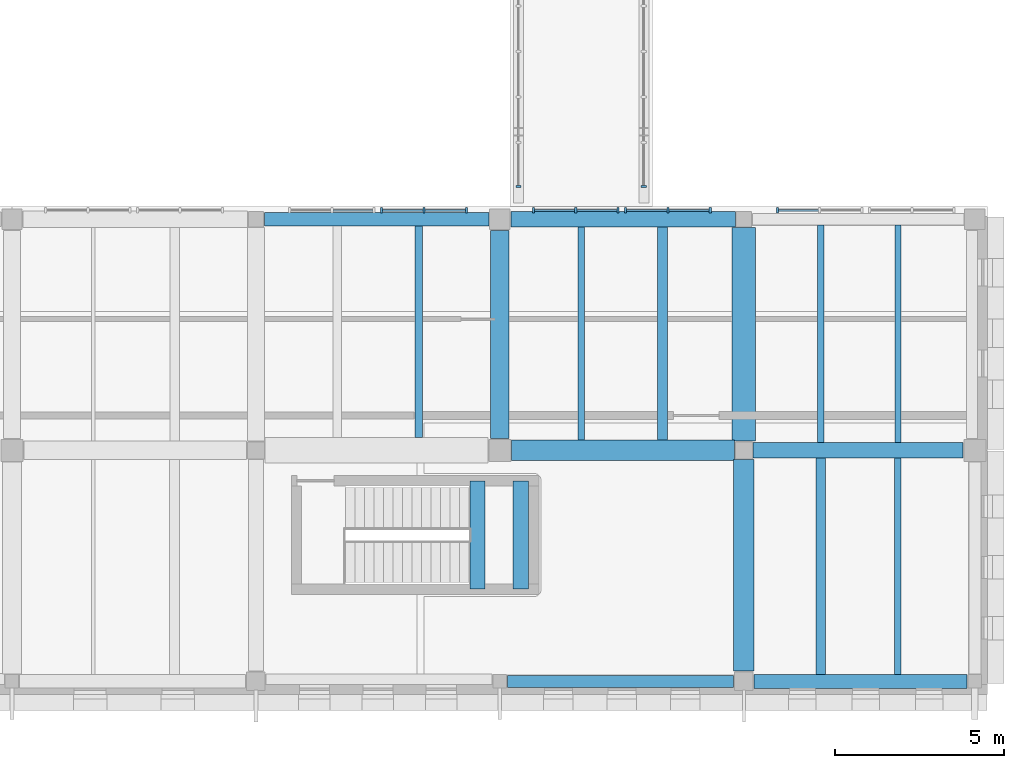
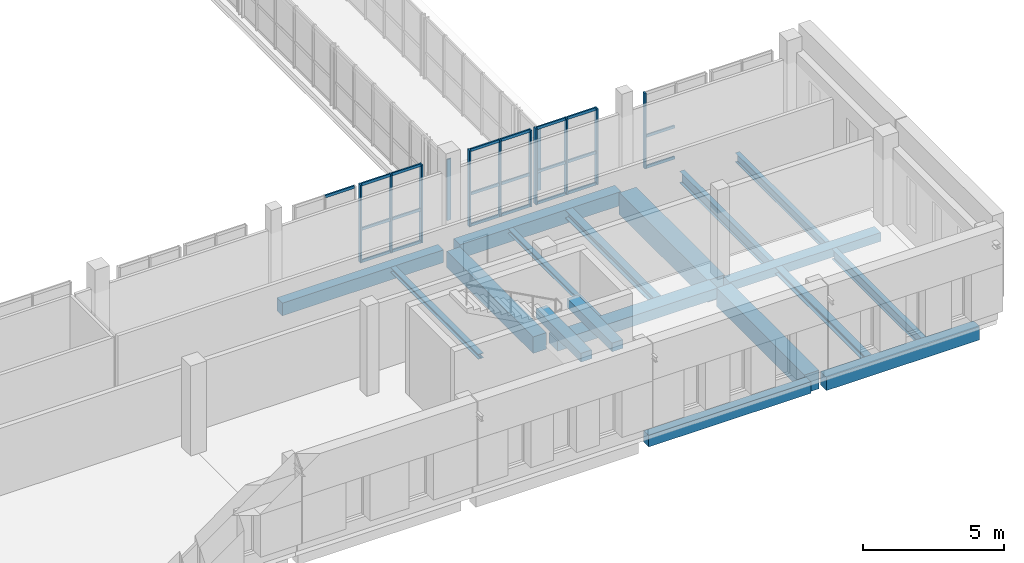
# One storey, part 30 of 76: 33 members, 18 beams, 7 elements without a shape of their own.
"""IFC4 building model written with IfcOpenShell, lengths in metres."""

from ifc_helpers import new_model, si_unit, direction, frame, origin, origin_2d, place, context, subcontext, project, spatial, rectangle, i_section, extrude, material, layer, layer_set, material_profile, profile_set, type_object, element, aggregate, save


model = new_model("IFC4")

# Units and contexts
model_context = context("Model", 3, precision=1e-05, world=origin(), true_north=direction((0.0, 1.0)))
body_context = subcontext(model_context, "Body", "Model", "MODEL_VIEW")
ifc_project = project(units=[si_unit("LENGTHUNIT", "METRE"), si_unit("AREAUNIT", "SQUARE_METRE"), si_unit("VOLUMEUNIT", "CUBIC_METRE"), si_unit("PLANEANGLEUNIT", "RADIAN"), si_unit("MASSUNIT", "GRAM", prefix="KILO")], contexts=[model_context])

# Site, building, storey
site_placement = place(None, origin())
site = spatial("IfcSite", under=ifc_project, at=site_placement, CompositionType="ELEMENT")
building_placement = place(site_placement, origin())
building = spatial("IfcBuilding", under=site, at=building_placement, Name="Vardoun Plaza Health Centre", CompositionType="ELEMENT")
storey_placement = place(building_placement, frame((0.0, 0.0, 4.5)))
storey = spatial("IfcBuildingStorey", under=building, at=storey_placement, Name="L01", CompositionType="ELEMENT", Elevation=4.5)

# Beams
ifc_material_1 = material(Name="Concrete C35/45", Category="concrete")
ifc_material_profile_1 = material_profile(ifc_material_1, rectangle(XDim=0.35009765625, YDim=0.5, at=origin_2d()), Name="RC-BM 350x500")
ifc_profile_set_1 = profile_set([ifc_material_profile_1], Name="Concrete C35/45")
beam_type_1 = type_object("IfcBeamType", Name="B-08", PredefinedType="SPANDREL", material=ifc_profile_set_1)
beam_1_placement = place(storey_placement, frame((151.125, 4.8798828125, -0.544921875), z_axis=(1.0, 0.0, 0.0), x_axis=(0.0, 1.0, 0.0)))
element("IfcBeam", 1, at=beam_1_placement, inside=storey, type_object=beam_type_1, Name="V5 L01 Beam B-V5-L01-X19", PredefinedType="SPANDREL", context=body_context, shape_type="SweptSolid", body=[
    extrude(rectangle(XDim=0.35009765625, YDim=0.5, at=origin_2d()), origin(), (0.0, 0.0, 1.0), 6.675048828125),
])
ifc_material_2 = material(Name="Concrete C35/45", Category="concrete")
ifc_material_profile_2 = material_profile(ifc_material_2, rectangle(XDim=0.39990234375, YDim=0.550048828125, at=origin_2d()), Name="RC-BM 400x550")
ifc_profile_set_2 = profile_set([ifc_material_profile_2], Name="Concrete C35/45")
beam_type_2 = type_object("IfcBeamType", Name="B-09", PredefinedType="SPANDREL", material=ifc_profile_set_2)
beam_2_placement = place(storey_placement, frame((143.949951171875, 18.52001953125, -0.570068359375), z_axis=(1.0, 0.0, 0.0), x_axis=(0.0, 1.0, 0.0)))
element("IfcBeam", 2, at=beam_2_placement, inside=storey, type_object=beam_type_2, Name="V5 L01 Beam B-V5-L01-X18", PredefinedType="SPANDREL", context=body_context, shape_type="SweptSolid", body=[
    extrude(rectangle(XDim=0.39990234375, YDim=0.550048828125, at=origin_2d()), origin(), (0.0, 0.0, 1.0), 6.625),
])
ifc_material_3 = material(Name="Concrete C35/45", Category="concrete")
ifc_material_profile_3 = material_profile(ifc_material_3, rectangle(XDim=0.419921875, YDim=0.580078125, at=origin_2d()), Name="RC-BM 420x580")
ifc_profile_set_3 = profile_set([ifc_material_profile_3], Name="Concrete C35/45")
beam_type_3 = type_object("IfcBeamType", Name="B-10", PredefinedType="SPANDREL", material=ifc_profile_set_3)
beam_3_placement = place(storey_placement, frame((158.39990234375, 4.8798828125, -0.5849609375), z_axis=(1.0, 0.0, 0.0), x_axis=(0.0, 1.0, 0.0)))
element("IfcBeam", 3, at=beam_3_placement, inside=storey, type_object=beam_type_3, Name="V5 L01 Beam B-V5-L01-X22", PredefinedType="SPANDREL", context=body_context, shape_type="SweptSolid", body=[
    extrude(rectangle(XDim=0.419921875, YDim=0.580078125, at=origin_2d()), origin(), (0.0, 0.0, 1.0), 6.295166015625),
])
ifc_material_4 = material(Name="Concrete C35/45", Category="concrete")
ifc_material_profile_4 = material_profile(ifc_material_4, rectangle(XDim=0.449951171875, YDim=0.3798828125, at=origin_2d()), Name="RC-BM 450x380")
ifc_profile_set_4 = profile_set([ifc_material_profile_4], Name="Concrete C35/45")
beam_type_4 = type_object("IfcBeamType", Name="B-01", PredefinedType="BEAM", material=ifc_profile_set_4)
beam_4_placement = place(storey_placement, frame((158.375, 11.699951171875, -0.485107421875), z_axis=(1.0, 0.0, 0.0), x_axis=(0.0, 1.0, 0.0)))
element("IfcBeam", 4, at=beam_4_placement, inside=storey, type_object=beam_type_4, Name="V5 L01 Beam B-V5-L01-X23", PredefinedType="BEAM", context=body_context, shape_type="SweptSolid", body=[
    extrude(rectangle(XDim=0.449951171875, YDim=0.3798828125, at=origin_2d()), origin(), (0.0, 0.0, 1.0), 6.195068359375),
])
for number, where, z_axis, x_axis, name in (
    (5, (150.239990234375, 7.60009765625, 1.7099609375), (0.0, 1.0, 0.0), (-1.0, 0.0, 0.0), "Stair ST-C9-L01 Landing Beam 1"),
    (6, (151.52001953125, 7.60009765625, 1.7099609375), (0.0, 1.0, 0.0), (-1.0, 0.0, 0.0), "Stair ST-C9-L01 Landing Beam 2"),
):
    element("IfcBeam", number, at=place(storey_placement, frame(where, z_axis=z_axis, x_axis=x_axis)), inside=storey, type_object=beam_type_4, Name=name, PredefinedType="BEAM", context=body_context, shape_type="SweptSolid", body=[
        extrude(rectangle(XDim=0.449951171875, YDim=0.3798828125, at=origin_2d()), origin(), (0.0, 0.0, 1.0), 3.199951171875),
    ])
ifc_material_5 = material(Name="Concrete C35/45", Category="concrete")
ifc_material_profile_5 = material_profile(ifc_material_5, rectangle(XDim=0.449951171875, YDim=0.60009765625, at=origin_2d()), Name="RC-BM 450x600")
ifc_profile_set_5 = profile_set([ifc_material_profile_5], Name="Concrete C35/45")
beam_type_5 = type_object("IfcBeamType", Name="B-11", PredefinedType="SPANDREL", material=ifc_profile_set_5)
beam_5_placement = place(storey_placement, frame((151.22509765625, 18.52001953125, -0.594970703125), z_axis=(1.0, 0.0, 0.0), x_axis=(0.0, 1.0, 0.0)))
element("IfcBeam", 7, at=beam_5_placement, inside=storey, type_object=beam_type_5, Name="V5 L01 Beam B-V5-L01-X21", PredefinedType="SPANDREL", context=body_context, shape_type="SweptSolid", body=[
    extrude(rectangle(XDim=0.449951171875, YDim=0.60009765625, at=origin_2d()), origin(), (0.0, 0.0, 1.0), 6.625),
])
ifc_material_6 = material(Name="Concrete C40/50", Category="concrete")
ifc_material_profile_6 = material_profile(ifc_material_6, rectangle(XDim=0.550048828125, YDim=0.719970703125, at=origin_2d()), Name="RC-BM 550x720")
ifc_profile_set_6 = profile_set([ifc_material_profile_6], Name="Concrete C40/50")
beam_type_6 = type_object("IfcBeamType", Name="B-14", PredefinedType="BEAM", material=ifc_profile_set_6)
beam_6_placement = place(storey_placement, frame((150.89990234375, 12.050048828125, -0.655029296875), z_axis=(0.0, 1.0, 0.0), x_axis=(-1.0, 0.0, 0.0)))
element("IfcBeam", 8, at=beam_6_placement, inside=storey, type_object=beam_type_6, Name="V5 L01 Beam B-V5-L01-Y36", PredefinedType="BEAM", context=body_context, shape_type="SweptSolid", body=[
    extrude(rectangle(XDim=0.550048828125, YDim=0.719970703125, at=origin_2d()), origin(), (0.0, 0.0, 1.0), 6.14501953125),
])
ifc_material_7 = material(Name="Concrete C35/45", Category="concrete")
ifc_material_profile_7 = material_profile(ifc_material_7, rectangle(XDim=0.60009765625, YDim=0.449951171875, at=origin_2d()), Name="RC-BM 600x450")
ifc_profile_set_7 = profile_set([ifc_material_profile_7], Name="Concrete C35/45")
beam_type_7 = type_object("IfcBeamType", Name="B-04", PredefinedType="BEAM", material=ifc_profile_set_7)
beam_7_placement = place(storey_placement, frame((151.25, 11.699951171875, -0.52001953125), z_axis=(1.0, 0.0, 0.0), x_axis=(0.0, 1.0, 0.0)))
element("IfcBeam", 9, at=beam_7_placement, inside=storey, type_object=beam_type_7, Name="V5 L01 Beam B-V5-L01-X20", PredefinedType="BEAM", context=body_context, shape_type="SweptSolid", body=[
    extrude(rectangle(XDim=0.60009765625, YDim=0.449951171875, at=origin_2d()), origin(), (0.0, 0.0, 1.0), 6.574951171875),
])
ifc_material_8 = material(Name="Concrete C40/50", Category="concrete")
ifc_material_profile_8 = material_profile(ifc_material_8, rectangle(XDim=0.60009765625, YDim=0.800048828125, at=origin_2d()), Name="RC-BM 600x800")
ifc_profile_set_8 = profile_set([ifc_material_profile_8], Name="Concrete C40/50")
beam_type_8 = type_object("IfcBeamType", Name="B-15", PredefinedType="JOIST", material=ifc_profile_set_8)
beam_8_placement = place(storey_placement, frame((158.10009765625, 5.179931640625, -0.695068359375), z_axis=(0.0, 1.0, 0.0), x_axis=(-1.0, 0.0, 0.0)))
element("IfcBeam", 10, at=beam_8_placement, inside=storey, type_object=beam_type_8, Name="V5 L01 Beam B-V5-L01-Y37", PredefinedType="JOIST", context=body_context, shape_type="SweptSolid", body=[
    extrude(rectangle(XDim=0.60009765625, YDim=0.800048828125, at=origin_2d()), origin(), (0.0, 0.0, 1.0), 6.2451171875),
])
ifc_material_9 = material(Name="Concrete C40/50", Category="concrete")
ifc_material_profile_9 = material_profile(ifc_material_9, rectangle(XDim=0.699951171875, YDim=0.949951171875, at=origin_2d()), Name="RC-BM 700x950")
ifc_profile_set_9 = profile_set([ifc_material_profile_9], Name="Concrete C40/50")
beam_type_9 = type_object("IfcBeamType", Name="B-16", PredefinedType="LINTEL", material=ifc_profile_set_9)
beam_9_placement = place(storey_placement, frame((158.10009765625, 11.97509765625, -0.77001953125), z_axis=(0.0, 1.0, 0.0), x_axis=(-1.0, 0.0, 0.0)))
element("IfcBeam", 11, at=beam_9_placement, inside=storey, type_object=beam_type_9, Name="V5 L01 Beam B-V5-L01-Y38", PredefinedType="LINTEL", context=body_context, shape_type="SweptSolid", body=[
    extrude(rectangle(XDim=0.699951171875, YDim=0.949951171875, at=origin_2d()), origin(), (0.0, 0.0, 1.0), 6.294921875),
])
ifc_material_10 = material(Name="Steel S355J2", Category="steel")
ifc_material_profile_10 = material_profile(ifc_material_10, i_section(OverallWidth=0.199951171875, OverallDepth=0.18994140625, WebThickness=0.006591796875, FlangeThickness=0.010009765625, FilletRadius=0.01806640625, at=origin_2d()), Name="HEA 200")
ifc_profile_set_10 = profile_set([ifc_material_profile_10], Name="Steel S355J2")
beam_type_10 = type_object("IfcBeamType", Name="SB-09", PredefinedType="BEAM", material=ifc_profile_set_10)
beam_10_placement = place(storey_placement, frame((153.2998046875, 12.0, -0.389892578125), z_axis=(0.0, 1.0, 0.0), x_axis=(-1.0, 0.0, 0.0)))
element("IfcBeam", 12, at=beam_10_placement, inside=storey, type_object=beam_type_10, Name="V5 L01 Secondary Floor Beam SJ-V5-L01-19", PredefinedType="BEAM", context=body_context, shape_type="SweptSolid", body=[
    extrude(i_section(OverallWidth=0.199951171875, OverallDepth=0.18994140625, WebThickness=0.006591796875, FlangeThickness=0.010009765625, FilletRadius=0.01806640625, at=origin_2d()), origin(), (0.0, 0.0, 1.0), 6.294921875),
])
ifc_material_11 = material(Name="Steel S355J2", Category="steel")
ifc_material_profile_11 = material_profile(ifc_material_11, i_section(OverallWidth=0.219970703125, OverallDepth=0.2099609375, WebThickness=0.007080078125, FlangeThickness=0.010986328125, FilletRadius=0.01806640625, at=origin_2d()), Name="HEA 220")
ifc_profile_set_11 = profile_set([ifc_material_profile_11], Name="Steel S355J2")
beam_type_11 = type_object("IfcBeamType", Name="SB-08", PredefinedType="BEAM", material=ifc_profile_set_11)
beam_11_placement = place(storey_placement, frame((148.500244140625, 12.074951171875, -0.39990234375), z_axis=(0.0, 1.0, 0.0), x_axis=(-1.0, 0.0, 0.0)))
element("IfcBeam", 13, at=beam_11_placement, inside=storey, type_object=beam_type_11, Name="V5 L01 Secondary Floor Beam SJ-V5-L01-18", PredefinedType="BEAM", context=body_context, shape_type="SweptSolid", body=[
    extrude(i_section(OverallWidth=0.219970703125, OverallDepth=0.2099609375, WebThickness=0.007080078125, FlangeThickness=0.010986328125, FilletRadius=0.01806640625, at=origin_2d()), origin(), (0.0, 0.0, 1.0), 6.2451171875),
])
ifc_material_12 = material(Name="Steel S355J2", Category="steel")
ifc_material_profile_12 = material_profile(ifc_material_12, i_section(OverallWidth=0.280029296875, OverallDepth=0.280029296875, WebThickness=0.010498046875, FlangeThickness=0.01806640625, FilletRadius=0.02392578125, at=origin_2d()), Name="HEB 280")
ifc_profile_set_12 = profile_set([ifc_material_profile_12], Name="Steel S355J2")
beam_type_12 = type_object("IfcBeamType", Name="SB-02", PredefinedType="BEAM", material=ifc_profile_set_12)
beam_12_placement = place(storey_placement, frame((160.373046875, 5.090087890625, -0.43505859375), z_axis=(0.0, 1.0, 0.0), x_axis=(-1.0, 0.0, 0.0)))
element("IfcBeam", 14, at=beam_12_placement, inside=storey, type_object=beam_type_12, Name="V5 L01 Secondary Floor Beam SJ-V5-L01-21", PredefinedType="BEAM", context=body_context, shape_type="SweptSolid", body=[
    extrude(i_section(OverallWidth=0.280029296875, OverallDepth=0.280029296875, WebThickness=0.010498046875, FlangeThickness=0.01806640625, FilletRadius=0.02392578125, at=origin_2d()), origin(), (0.0, 0.0, 1.0), 6.385009765625),
])
ifc_material_13 = material(Name="Steel S355J2", Category="steel")
ifc_material_profile_13 = material_profile(ifc_material_13, i_section(OverallWidth=0.300048828125, OverallDepth=0.360107421875, WebThickness=0.012451171875, FlangeThickness=0.0224609375, FilletRadius=0.027099609375, at=origin_2d()), Name="HEB 360")
ifc_profile_set_13 = profile_set([ifc_material_profile_13], Name="Steel S355J2")
beam_type_13 = type_object("IfcBeamType", Name="RB-04", PredefinedType="BEAM", material=ifc_profile_set_13)
beam_13_placement = place(storey_placement, frame((155.7001953125, 12.0, -0.47509765625), z_axis=(0.0, 1.0, 0.0), x_axis=(-1.0, 0.0, 0.0)))
element("IfcBeam", 15, at=beam_13_placement, inside=storey, type_object=beam_type_13, Name="V5 L01 Secondary Floor Beam SJ-V5-L01-20", PredefinedType="BEAM", context=body_context, shape_type="SweptSolid", body=[
    extrude(i_section(OverallWidth=0.300048828125, OverallDepth=0.360107421875, WebThickness=0.012451171875, FlangeThickness=0.0224609375, FilletRadius=0.027099609375, at=origin_2d()), origin(), (0.0, 0.0, 1.0), 6.294921875),
])
ifc_material_14 = material(Name="Steel S355J2", Category="steel")
ifc_material_profile_14 = material_profile(ifc_material_14, i_section(OverallWidth=0.179931640625, OverallDepth=0.39990234375, WebThickness=0.008544921875, FlangeThickness=0.013427734375, FilletRadius=0.02099609375, at=origin_2d()), Name="IPE 400")
ifc_profile_set_14 = profile_set([ifc_material_profile_14], Name="Steel S355J2")
beam_type_14 = type_object("IfcBeamType", Name="SB-12", PredefinedType="BEAM", material=ifc_profile_set_14)
beam_14_placement = place(storey_placement, frame((162.64697265625, 11.925048828125, -0.4951171875), z_axis=(0.0, 1.0, 0.0), x_axis=(-1.0, 0.0, 0.0)))
element("IfcBeam", 16, at=beam_14_placement, inside=storey, type_object=beam_type_14, Name="V5 L01 Secondary Floor Beam SJ-V5-L01-24", PredefinedType="BEAM", context=body_context, shape_type="SweptSolid", body=[
    extrude(i_section(OverallWidth=0.179931640625, OverallDepth=0.39990234375, WebThickness=0.008544921875, FlangeThickness=0.013427734375, FilletRadius=0.02099609375, at=origin_2d()), origin(), (0.0, 0.0, 1.0), 6.419921875),
])
ifc_material_15 = material(Name="Steel S355J2", Category="steel")
ifc_material_profile_15 = material_profile(ifc_material_15, i_section(OverallWidth=0.18994140625, OverallDepth=0.449951171875, WebThickness=0.009521484375, FlangeThickness=0.0146484375, FilletRadius=0.02099609375, at=origin_2d()), Name="IPE 450")
ifc_profile_set_15 = profile_set([ifc_material_profile_15], Name="Steel S355J2")
beam_type_15 = type_object("IfcBeamType", Name="SB-11", PredefinedType="BEAM", material=ifc_profile_set_15)
beam_15_placement = place(storey_placement, frame((162.64697265625, 5.090087890625, -0.52099609375), z_axis=(0.0, 1.0, 0.0), x_axis=(-1.0, 0.0, 0.0)))
element("IfcBeam", 17, at=beam_15_placement, inside=storey, type_object=beam_type_15, Name="V5 L01 Secondary Floor Beam SJ-V5-L01-23", PredefinedType="BEAM", context=body_context, shape_type="SweptSolid", body=[
    extrude(i_section(OverallWidth=0.18994140625, OverallDepth=0.449951171875, WebThickness=0.009521484375, FlangeThickness=0.0146484375, FilletRadius=0.02099609375, at=origin_2d()), origin(), (0.0, 0.0, 1.0), 6.385009765625),
])
ifc_material_16 = material(Name="Steel S355J2", Category="steel")
ifc_material_profile_16 = material_profile(ifc_material_16, i_section(OverallWidth=0.199951171875, OverallDepth=0.5, WebThickness=0.01025390625, FlangeThickness=0.01611328125, FilletRadius=0.02099609375, at=origin_2d()), Name="IPE 500")
ifc_profile_set_16 = profile_set([ifc_material_profile_16], Name="Steel S355J2")
beam_type_16 = type_object("IfcBeamType", Name="SB-10", PredefinedType="BEAM", material=ifc_profile_set_16)
beam_16_placement = place(storey_placement, frame((160.373046875, 11.925048828125, -0.544921875), z_axis=(0.0, 1.0, 0.0), x_axis=(-1.0, 0.0, 0.0)))
element("IfcBeam", 18, at=beam_16_placement, inside=storey, type_object=beam_type_16, Name="V5 L01 Secondary Floor Beam SJ-V5-L01-22", PredefinedType="BEAM", context=body_context, shape_type="SweptSolid", body=[
    extrude(i_section(OverallWidth=0.199951171875, OverallDepth=0.5, WebThickness=0.01025390625, FlangeThickness=0.01611328125, FilletRadius=0.02099609375, at=origin_2d()), origin(), (0.0, 0.0, 1.0), 6.419921875),
])

# Curtain wall, members
ifc_material_17 = material(Name="Aluminium Alloy EN AW-6063-T6 and Low-E Glass", Category="aluminium")
ifc_layer = layer(ifc_material_17, 0.14990234375)
ifc_layer_set = layer_set([ifc_layer], Name="Aluminium Alloy EN AW-6063-T6 and Low-E Glass")
curtain_wall_type = type_object("IfcCurtainWallType", Name="CW-03", PredefinedType="NOTDEFINED", material=ifc_layer_set)
curtain_wall_1_placement = place(storey_placement, origin())
curtain_wall_1 = element("IfcCurtainWall", 19, at=curtain_wall_1_placement, inside=storey, type_object=curtain_wall_type, Name="Curtain Wall CW-V5-160", PredefinedType="NOTDEFINED")
ifc_material_18 = material(Name="Aluminium Alloy EN AW-6063-T6", Category="aluminium")
ifc_material_profile_17 = material_profile(ifc_material_18, rectangle(XDim=0.159912109375, YDim=0.06005859375, at=origin_2d()), Name="CWM 60x160")
ifc_profile_set_17 = profile_set([ifc_material_profile_17], Name="Aluminium Alloy EN AW-6063-T6")
member_type_1 = type_object("IfcMemberType", Name="CW-M1", PredefinedType="MULLION", material=ifc_profile_set_17)
member_1_placement = place(storey_placement, frame((147.409912109375, 18.780029296875, 0.0), z_axis=(0.0, 0.0, 1.0), x_axis=(0.0, 1.0, 0.0)))
member_1 = element("IfcMember", 20, at=member_1_placement, type_object=member_type_1, Name="CW-V5-160 mullion 1", PredefinedType="MULLION", context=body_context, shape_type="SweptSolid", body=[
    extrude(rectangle(XDim=0.159912109375, YDim=0.06005859375, at=origin_2d()), origin(), (0.0, 0.0, 1.0), 3.389892578125),
])
member_2_placement = place(storey_placement, frame((148.659912109375, 18.780029296875, 0.0), z_axis=(0.0, 0.0, 1.0), x_axis=(0.0, 1.0, 0.0)))
member_2 = element("IfcMember", 21, at=member_2_placement, type_object=member_type_1, Name="CW-V5-160 mullion 2", PredefinedType="MULLION", context=body_context, shape_type="SweptSolid", body=[
    extrude(rectangle(XDim=0.159912109375, YDim=0.06005859375, at=origin_2d()), origin(), (0.0, 0.0, 1.0), 3.389892578125),
])
member_3_placement = place(storey_placement, frame((149.909912109375, 18.780029296875, 0.0), z_axis=(0.0, 0.0, 1.0), x_axis=(0.0, 1.0, 0.0)))
member_3 = element("IfcMember", 22, at=member_3_placement, type_object=member_type_1, Name="CW-V5-160 mullion 3", PredefinedType="MULLION", context=body_context, shape_type="SweptSolid", body=[
    extrude(rectangle(XDim=0.159912109375, YDim=0.06005859375, at=origin_2d()), origin(), (0.0, 0.0, 1.0), 3.389892578125),
])

curtain_wall_2_placement = place(storey_placement, origin())
curtain_wall_2 = element("IfcCurtainWall", 23, at=curtain_wall_2_placement, inside=storey, type_object=curtain_wall_type, Name="Curtain Wall CW-V5-161", PredefinedType="NOTDEFINED")
member_4_placement = place(storey_placement, frame((151.889892578125, 18.780029296875, 0.0), z_axis=(0.0, 0.0, 1.0), x_axis=(0.0, 1.0, 0.0)))
member_4 = element("IfcMember", 24, at=member_4_placement, type_object=member_type_1, Name="CW-V5-161 mullion 1", PredefinedType="MULLION", context=body_context, shape_type="SweptSolid", body=[
    extrude(rectangle(XDim=0.159912109375, YDim=0.06005859375, at=origin_2d()), origin(), (0.0, 0.0, 1.0), 3.31005859375),
])
member_5_placement = place(storey_placement, frame((153.139892578125, 18.780029296875, 0.0), z_axis=(0.0, 0.0, 1.0), x_axis=(0.0, 1.0, 0.0)))
member_5 = element("IfcMember", 25, at=member_5_placement, type_object=member_type_1, Name="CW-V5-161 mullion 2", PredefinedType="MULLION", context=body_context, shape_type="SweptSolid", body=[
    extrude(rectangle(XDim=0.159912109375, YDim=0.06005859375, at=origin_2d()), origin(), (0.0, 0.0, 1.0), 3.31005859375),
])
member_6_placement = place(storey_placement, frame((154.389892578125, 18.780029296875, 0.0), z_axis=(0.0, 0.0, 1.0), x_axis=(0.0, 1.0, 0.0)))
member_6 = element("IfcMember", 26, at=member_6_placement, type_object=member_type_1, Name="CW-V5-161 mullion 3", PredefinedType="MULLION", context=body_context, shape_type="SweptSolid", body=[
    extrude(rectangle(XDim=0.159912109375, YDim=0.06005859375, at=origin_2d()), origin(), (0.0, 0.0, 1.0), 3.31005859375),
])

curtain_wall_3_placement = place(storey_placement, origin())
curtain_wall_3 = element("IfcCurtainWall", 27, at=curtain_wall_3_placement, inside=storey, type_object=curtain_wall_type, Name="Curtain Wall CW-V5-162", PredefinedType="NOTDEFINED")
member_7_placement = place(storey_placement, frame((154.610107421875, 18.780029296875, 0.0), z_axis=(0.0, 0.0, 1.0), x_axis=(0.0, 1.0, 0.0)))
member_7 = element("IfcMember", 28, at=member_7_placement, type_object=member_type_1, Name="CW-V5-162 mullion 1", PredefinedType="MULLION", context=body_context, shape_type="SweptSolid", body=[
    extrude(rectangle(XDim=0.159912109375, YDim=0.06005859375, at=origin_2d()), origin(), (0.0, 0.0, 1.0), 3.31005859375),
])
member_8_placement = place(storey_placement, frame((155.860107421875, 18.780029296875, 0.0), z_axis=(0.0, 0.0, 1.0), x_axis=(0.0, 1.0, 0.0)))
member_8 = element("IfcMember", 29, at=member_8_placement, type_object=member_type_1, Name="CW-V5-162 mullion 2", PredefinedType="MULLION", context=body_context, shape_type="SweptSolid", body=[
    extrude(rectangle(XDim=0.159912109375, YDim=0.06005859375, at=origin_2d()), origin(), (0.0, 0.0, 1.0), 3.31005859375),
])
member_9_placement = place(storey_placement, frame((157.110107421875, 18.780029296875, 0.0), z_axis=(0.0, 0.0, 1.0), x_axis=(0.0, 1.0, 0.0)))
member_9 = element("IfcMember", 30, at=member_9_placement, type_object=member_type_1, Name="CW-V5-162 mullion 3", PredefinedType="MULLION", context=body_context, shape_type="SweptSolid", body=[
    extrude(rectangle(XDim=0.159912109375, YDim=0.06005859375, at=origin_2d()), origin(), (0.0, 0.0, 1.0), 3.31005859375),
])

# Curtain wall, member
curtain_wall_4_placement = place(storey_placement, origin())
curtain_wall_4 = element("IfcCurtainWall", 31, at=curtain_wall_4_placement, inside=storey, type_object=curtain_wall_type, Name="Curtain Wall CW-V5-163", PredefinedType="NOTDEFINED")
member_10_placement = place(storey_placement, frame((159.090087890625, 18.780029296875, 0.0), z_axis=(0.0, 0.0, 1.0), x_axis=(0.0, 1.0, 0.0)))
member_10 = element("IfcMember", 32, at=member_10_placement, type_object=member_type_1, Name="CW-V5-163 mullion 1", PredefinedType="MULLION", context=body_context, shape_type="SweptSolid", body=[
    extrude(rectangle(XDim=0.159912109375, YDim=0.06005859375, at=origin_2d()), origin(), (0.0, 0.0, 1.0), 3.27001953125),
])

curtain_wall_5_placement = place(storey_placement, origin())
curtain_wall_5 = element("IfcCurtainWall", 33, at=curtain_wall_5_placement, inside=storey, type_object=curtain_wall_type, Name="Curtain Wall CW-BR-5WS", PredefinedType="NOTDEFINED")
member_11_placement = place(storey_placement, frame((151.449951171875, 19.47998046875, 0.0), z_axis=(0.0, 0.0, 1.0), x_axis=(-1.0, 0.0, 0.0)))
member_11 = element("IfcMember", 34, at=member_11_placement, type_object=member_type_1, Name="CW-BR-5WS mullion 1", PredefinedType="MULLION", context=body_context, shape_type="SweptSolid", body=[
    extrude(rectangle(XDim=0.159912109375, YDim=0.06005859375, at=origin_2d()), origin(), (0.0, 0.0, 1.0), 2.64990234375),
])
aggregate(curtain_wall_5, [member_11])

curtain_wall_6_placement = place(storey_placement, origin())
curtain_wall_6 = element("IfcCurtainWall", 35, at=curtain_wall_6_placement, inside=storey, type_object=curtain_wall_type, Name="Curtain Wall CW-BR-5ES", PredefinedType="NOTDEFINED")
member_12_placement = place(storey_placement, frame((155.14990234375, 19.47998046875, 0.0), z_axis=(0.0, 0.0, 1.0), x_axis=(1.0, 0.0, 0.0)))
member_12 = element("IfcMember", 36, at=member_12_placement, type_object=member_type_1, Name="CW-BR-5ES mullion 7", PredefinedType="MULLION", context=body_context, shape_type="SweptSolid", body=[
    extrude(rectangle(XDim=0.159912109375, YDim=0.06005859375, at=origin_2d()), origin(), (0.0, 0.0, 1.0), 2.64990234375),
])
aggregate(curtain_wall_6, [member_12])

curtain_wall_7_placement = place(storey_placement, origin())
curtain_wall_7 = element("IfcCurtainWall", 37, at=curtain_wall_7_placement, inside=storey, type_object=curtain_wall_type, Name="Curtain Wall CW-V5-159", PredefinedType="NOTDEFINED")
ifc_material_19 = material(Name="Aluminium Alloy EN AW-6063-T6", Category="aluminium")
ifc_material_profile_18 = material_profile(ifc_material_19, rectangle(XDim=0.06005859375, YDim=0.1201171875, at=origin_2d()), Name="CWT 60x120")
ifc_profile_set_18 = profile_set([ifc_material_profile_18], Name="Aluminium Alloy EN AW-6063-T6")
member_type_2 = type_object("IfcMemberType", Name="CW-T1", PredefinedType="USERDEFINED", material=ifc_profile_set_18)
member_13_placement = place(storey_placement, frame((145.969970703125, 18.780029296875, 3.360107421875), z_axis=(1.0, 0.0, 0.0), x_axis=(0.0, 1.0, 0.0)))
member_13 = element("IfcMember", 38, at=member_13_placement, type_object=member_type_2, Name="CW-V5-159 transom 2.3", ObjectType="TRANSOM", PredefinedType="USERDEFINED", context=body_context, shape_type="SweptSolid", body=[
    extrude(rectangle(XDim=0.06005859375, YDim=0.1201171875, at=origin_2d()), origin(), (0.0, 0.0, 1.0), 1.18994140625),
])
aggregate(curtain_wall_7, [member_13])

# Member
member_14_placement = place(storey_placement, frame((147.440185546875, 18.780029296875, 0.030029296875), z_axis=(1.0, 0.0, 0.0), x_axis=(0.0, 1.0, 0.0)))
member_14 = element("IfcMember", 39, at=member_14_placement, type_object=member_type_2, Name="CW-V5-160 transom 1.1", ObjectType="TRANSOM", PredefinedType="USERDEFINED", context=body_context, shape_type="SweptSolid", body=[
    extrude(rectangle(XDim=0.06005859375, YDim=0.1201171875, at=origin_2d()), origin(), (0.0, 0.0, 1.0), 1.189697265625),
])

member_15_placement = place(storey_placement, frame((147.440185546875, 18.780029296875, 1.423828125), z_axis=(1.0, 0.0, 0.0), x_axis=(0.0, 1.0, 0.0)))
member_15 = element("IfcMember", 40, at=member_15_placement, type_object=member_type_2, Name="CW-V5-160 transom 1.2", ObjectType="TRANSOM", PredefinedType="USERDEFINED", context=body_context, shape_type="SweptSolid", body=[
    extrude(rectangle(XDim=0.06005859375, YDim=0.1201171875, at=origin_2d()), origin(), (0.0, 0.0, 1.0), 1.189697265625),
])

member_16_placement = place(storey_placement, frame((147.440185546875, 18.780029296875, 3.360107421875), z_axis=(1.0, 0.0, 0.0), x_axis=(0.0, 1.0, 0.0)))
member_16 = element("IfcMember", 41, at=member_16_placement, type_object=member_type_2, Name="CW-V5-160 transom 1.3", ObjectType="TRANSOM", PredefinedType="USERDEFINED", context=body_context, shape_type="SweptSolid", body=[
    extrude(rectangle(XDim=0.06005859375, YDim=0.1201171875, at=origin_2d()), origin(), (0.0, 0.0, 1.0), 1.189697265625),
])

member_17_placement = place(storey_placement, frame((148.690185546875, 18.780029296875, 0.030029296875), z_axis=(1.0, 0.0, 0.0), x_axis=(0.0, 1.0, 0.0)))
member_17 = element("IfcMember", 42, at=member_17_placement, type_object=member_type_2, Name="CW-V5-160 transom 2.1", ObjectType="TRANSOM", PredefinedType="USERDEFINED", context=body_context, shape_type="SweptSolid", body=[
    extrude(rectangle(XDim=0.06005859375, YDim=0.1201171875, at=origin_2d()), origin(), (0.0, 0.0, 1.0), 1.189697265625),
])

member_18_placement = place(storey_placement, frame((148.690185546875, 18.780029296875, 1.423828125), z_axis=(1.0, 0.0, 0.0), x_axis=(0.0, 1.0, 0.0)))
member_18 = element("IfcMember", 43, at=member_18_placement, type_object=member_type_2, Name="CW-V5-160 transom 2.2", ObjectType="TRANSOM", PredefinedType="USERDEFINED", context=body_context, shape_type="SweptSolid", body=[
    extrude(rectangle(XDim=0.06005859375, YDim=0.1201171875, at=origin_2d()), origin(), (0.0, 0.0, 1.0), 1.189697265625),
])

member_19_placement = place(storey_placement, frame((148.690185546875, 18.780029296875, 3.360107421875), z_axis=(1.0, 0.0, 0.0), x_axis=(0.0, 1.0, 0.0)))
member_19 = element("IfcMember", 44, at=member_19_placement, type_object=member_type_2, Name="CW-V5-160 transom 2.3", ObjectType="TRANSOM", PredefinedType="USERDEFINED", context=body_context, shape_type="SweptSolid", body=[
    extrude(rectangle(XDim=0.06005859375, YDim=0.1201171875, at=origin_2d()), origin(), (0.0, 0.0, 1.0), 1.189697265625),
])

aggregate(curtain_wall_1, [member_1, member_2, member_3, member_14, member_15, member_16, member_17, member_18, member_19])

member_20_placement = place(storey_placement, frame((151.919921875, 18.780029296875, 0.030029296875), z_axis=(1.0, 0.0, 0.0), x_axis=(0.0, 1.0, 0.0)))
member_20 = element("IfcMember", 45, at=member_20_placement, type_object=member_type_2, Name="CW-V5-161 transom 1.1", ObjectType="TRANSOM", PredefinedType="USERDEFINED", context=body_context, shape_type="SweptSolid", body=[
    extrude(rectangle(XDim=0.06005859375, YDim=0.1201171875, at=origin_2d()), origin(), (0.0, 0.0, 1.0), 1.190185546875),
])

member_21_placement = place(storey_placement, frame((151.919921875, 18.780029296875, 1.39013671875), z_axis=(1.0, 0.0, 0.0), x_axis=(0.0, 1.0, 0.0)))
member_21 = element("IfcMember", 46, at=member_21_placement, type_object=member_type_2, Name="CW-V5-161 transom 1.2", ObjectType="TRANSOM", PredefinedType="USERDEFINED", context=body_context, shape_type="SweptSolid", body=[
    extrude(rectangle(XDim=0.06005859375, YDim=0.1201171875, at=origin_2d()), origin(), (0.0, 0.0, 1.0), 1.190185546875),
])

member_22_placement = place(storey_placement, frame((151.919921875, 18.780029296875, 3.280029296875), z_axis=(1.0, 0.0, 0.0), x_axis=(0.0, 1.0, 0.0)))
member_22 = element("IfcMember", 47, at=member_22_placement, type_object=member_type_2, Name="CW-V5-161 transom 1.3", ObjectType="TRANSOM", PredefinedType="USERDEFINED", context=body_context, shape_type="SweptSolid", body=[
    extrude(rectangle(XDim=0.06005859375, YDim=0.1201171875, at=origin_2d()), origin(), (0.0, 0.0, 1.0), 1.190185546875),
])

member_23_placement = place(storey_placement, frame((153.169921875, 18.780029296875, 0.030029296875), z_axis=(1.0, 0.0, 0.0), x_axis=(0.0, 1.0, 0.0)))
member_23 = element("IfcMember", 48, at=member_23_placement, type_object=member_type_2, Name="CW-V5-161 transom 2.1", ObjectType="TRANSOM", PredefinedType="USERDEFINED", context=body_context, shape_type="SweptSolid", body=[
    extrude(rectangle(XDim=0.06005859375, YDim=0.1201171875, at=origin_2d()), origin(), (0.0, 0.0, 1.0), 1.190185546875),
])

member_24_placement = place(storey_placement, frame((153.169921875, 18.780029296875, 1.39013671875), z_axis=(1.0, 0.0, 0.0), x_axis=(0.0, 1.0, 0.0)))
member_24 = element("IfcMember", 49, at=member_24_placement, type_object=member_type_2, Name="CW-V5-161 transom 2.2", ObjectType="TRANSOM", PredefinedType="USERDEFINED", context=body_context, shape_type="SweptSolid", body=[
    extrude(rectangle(XDim=0.06005859375, YDim=0.1201171875, at=origin_2d()), origin(), (0.0, 0.0, 1.0), 1.190185546875),
])

member_25_placement = place(storey_placement, frame((153.169921875, 18.780029296875, 3.280029296875), z_axis=(1.0, 0.0, 0.0), x_axis=(0.0, 1.0, 0.0)))
member_25 = element("IfcMember", 50, at=member_25_placement, type_object=member_type_2, Name="CW-V5-161 transom 2.3", ObjectType="TRANSOM", PredefinedType="USERDEFINED", context=body_context, shape_type="SweptSolid", body=[
    extrude(rectangle(XDim=0.06005859375, YDim=0.1201171875, at=origin_2d()), origin(), (0.0, 0.0, 1.0), 1.190185546875),
])

aggregate(curtain_wall_2, [member_4, member_5, member_6, member_20, member_21, member_22, member_23, member_24, member_25])

member_26_placement = place(storey_placement, frame((154.639892578125, 18.780029296875, 0.030029296875), z_axis=(1.0, 0.0, 0.0), x_axis=(0.0, 1.0, 0.0)))
member_26 = element("IfcMember", 51, at=member_26_placement, type_object=member_type_2, Name="CW-V5-162 transom 1.1", ObjectType="TRANSOM", PredefinedType="USERDEFINED", context=body_context, shape_type="SweptSolid", body=[
    extrude(rectangle(XDim=0.06005859375, YDim=0.1201171875, at=origin_2d()), origin(), (0.0, 0.0, 1.0), 1.190185546875),
])

member_27_placement = place(storey_placement, frame((154.639892578125, 18.780029296875, 1.39013671875), z_axis=(1.0, 0.0, 0.0), x_axis=(0.0, 1.0, 0.0)))
member_27 = element("IfcMember", 52, at=member_27_placement, type_object=member_type_2, Name="CW-V5-162 transom 1.2", ObjectType="TRANSOM", PredefinedType="USERDEFINED", context=body_context, shape_type="SweptSolid", body=[
    extrude(rectangle(XDim=0.06005859375, YDim=0.1201171875, at=origin_2d()), origin(), (0.0, 0.0, 1.0), 1.190185546875),
])

member_28_placement = place(storey_placement, frame((154.639892578125, 18.780029296875, 3.280029296875), z_axis=(1.0, 0.0, 0.0), x_axis=(0.0, 1.0, 0.0)))
member_28 = element("IfcMember", 53, at=member_28_placement, type_object=member_type_2, Name="CW-V5-162 transom 1.3", ObjectType="TRANSOM", PredefinedType="USERDEFINED", context=body_context, shape_type="SweptSolid", body=[
    extrude(rectangle(XDim=0.06005859375, YDim=0.1201171875, at=origin_2d()), origin(), (0.0, 0.0, 1.0), 1.190185546875),
])

member_29_placement = place(storey_placement, frame((155.889892578125, 18.780029296875, 0.030029296875), z_axis=(1.0, 0.0, 0.0), x_axis=(0.0, 1.0, 0.0)))
member_29 = element("IfcMember", 54, at=member_29_placement, type_object=member_type_2, Name="CW-V5-162 transom 2.1", ObjectType="TRANSOM", PredefinedType="USERDEFINED", context=body_context, shape_type="SweptSolid", body=[
    extrude(rectangle(XDim=0.06005859375, YDim=0.1201171875, at=origin_2d()), origin(), (0.0, 0.0, 1.0), 1.190185546875),
])

member_30_placement = place(storey_placement, frame((155.889892578125, 18.780029296875, 1.39013671875), z_axis=(1.0, 0.0, 0.0), x_axis=(0.0, 1.0, 0.0)))
member_30 = element("IfcMember", 55, at=member_30_placement, type_object=member_type_2, Name="CW-V5-162 transom 2.2", ObjectType="TRANSOM", PredefinedType="USERDEFINED", context=body_context, shape_type="SweptSolid", body=[
    extrude(rectangle(XDim=0.06005859375, YDim=0.1201171875, at=origin_2d()), origin(), (0.0, 0.0, 1.0), 1.190185546875),
])

member_31_placement = place(storey_placement, frame((155.889892578125, 18.780029296875, 3.280029296875), z_axis=(1.0, 0.0, 0.0), x_axis=(0.0, 1.0, 0.0)))
member_31 = element("IfcMember", 56, at=member_31_placement, type_object=member_type_2, Name="CW-V5-162 transom 2.3", ObjectType="TRANSOM", PredefinedType="USERDEFINED", context=body_context, shape_type="SweptSolid", body=[
    extrude(rectangle(XDim=0.06005859375, YDim=0.1201171875, at=origin_2d()), origin(), (0.0, 0.0, 1.0), 1.190185546875),
])

aggregate(curtain_wall_3, [member_7, member_8, member_9, member_26, member_27, member_28, member_29, member_30, member_31])

member_32_placement = place(storey_placement, frame((159.1201171875, 18.780029296875, 0.030029296875), z_axis=(1.0, 0.0, 0.0), x_axis=(0.0, 1.0, 0.0)))
member_32 = element("IfcMember", 57, at=member_32_placement, type_object=member_type_2, Name="CW-V5-163 transom 1.1", ObjectType="TRANSOM", PredefinedType="USERDEFINED", context=body_context, shape_type="SweptSolid", body=[
    extrude(rectangle(XDim=0.06005859375, YDim=0.1201171875, at=origin_2d()), origin(), (0.0, 0.0, 1.0), 1.18994140625),
])

member_33_placement = place(storey_placement, frame((159.1201171875, 18.780029296875, 1.373291015625), z_axis=(1.0, 0.0, 0.0), x_axis=(0.0, 1.0, 0.0)))
member_33 = element("IfcMember", 58, at=member_33_placement, type_object=member_type_2, Name="CW-V5-163 transom 1.2", ObjectType="TRANSOM", PredefinedType="USERDEFINED", context=body_context, shape_type="SweptSolid", body=[
    extrude(rectangle(XDim=0.06005859375, YDim=0.1201171875, at=origin_2d()), origin(), (0.0, 0.0, 1.0), 1.18994140625),
])

aggregate(curtain_wall_4, [member_10, member_32, member_33])

save(model, "model.ifc")
